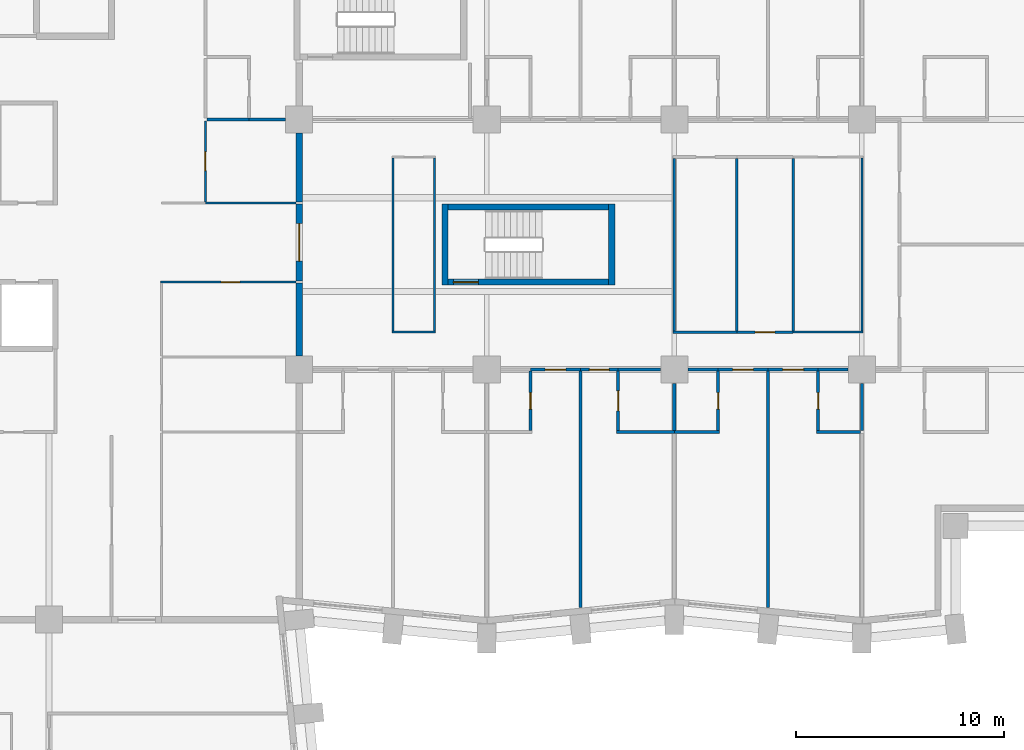
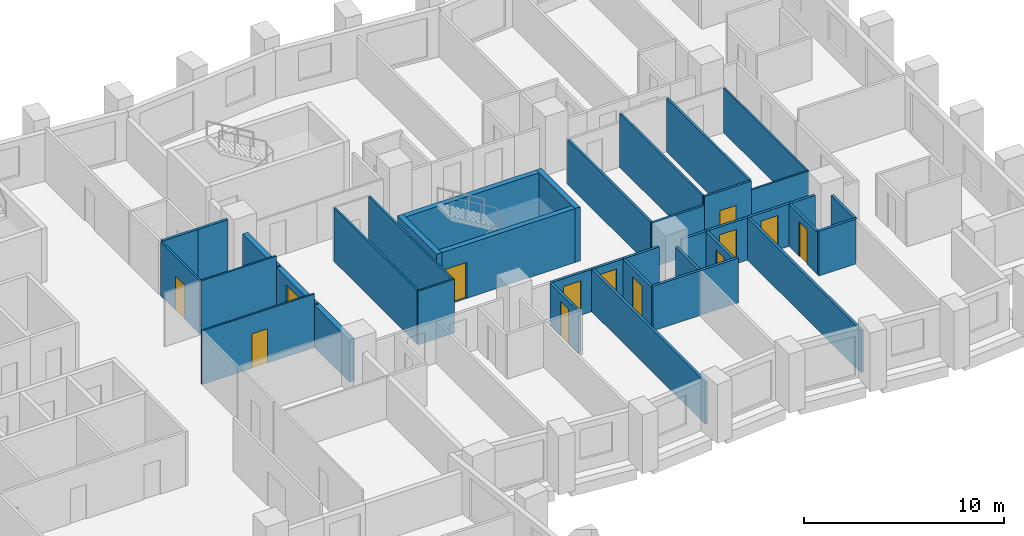
# One storey, part 8 of 13: 40 walls, 13 doors, 13 openings.
"""IFC4 building model written with IfcOpenShell, lengths in metres."""

from ifc_helpers import new_model, si_unit, direction, frame, frame_2d, origin, place, context, subcontext, project, spatial, rectangle, extrude, material, layer, layer_set, type_object, element, fill, save


model = new_model("IFC4")

# Units and contexts
model_context = context("Model", 3, precision=1e-05, world=origin(), true_north=direction((0.0, 1.0)))
body_context = subcontext(model_context, "Body", "Model", "MODEL_VIEW")
ifc_project = project(units=[si_unit("LENGTHUNIT", "METRE"), si_unit("AREAUNIT", "SQUARE_METRE"), si_unit("VOLUMEUNIT", "CUBIC_METRE"), si_unit("PLANEANGLEUNIT", "RADIAN"), si_unit("MASSUNIT", "GRAM", prefix="KILO")], contexts=[model_context])

# Site, building, storey
site_placement = place(None, origin())
site = spatial("IfcSite", under=ifc_project, at=site_placement, CompositionType="ELEMENT")
building_placement = place(site_placement, origin())
building = spatial("IfcBuilding", under=site, at=building_placement, Name="Brondeck Convention Tower", CompositionType="ELEMENT")
storey_placement = place(building_placement, frame((0.0, 0.0, 41.10009765625)))
storey = spatial("IfcBuildingStorey", under=building, at=storey_placement, Name="L07", CompositionType="ELEMENT", Elevation=41.10009765625)

# Wall
ifc_material_1 = material(Name="Concrete compartment wall C30/37", Category="concrete")
ifc_layer_1 = layer(ifc_material_1, 0.300048828125)
ifc_layer_set_1 = layer_set([ifc_layer_1], Name="Compartment wall 300")
wall_type_1 = type_object("IfcWallType", Name="Compartment wall 300", PredefinedType="PARTITIONING", material=ifc_layer_set_1)
wall_1_placement = place(storey_placement, frame((36.0, 43.14990234375, 0.0), z_axis=(0.0, 0.0, 1.0), x_axis=(0.0, -1.0, 0.0)))
element("IfcWall", 1, at=wall_1_placement, inside=storey, type_object=wall_type_1, Name="FLR-L07-W110", PredefinedType="PARTITIONING", context=body_context, shape_type="SweptSolid", body=[
    extrude(rectangle(XDim=3.494873046875, YDim=0.300048828125, at=frame_2d((1.74755859375, 0.0))), origin(), (0.0, 0.0, 1.0), 2.579833984375),
])

# Wall, opening, door
wall_2_placement = place(storey_placement, frame((36.0, 46.949951171875, 0.0), z_axis=(0.0, 0.0, 1.0), x_axis=(0.0, -1.0, 0.0)))
wall_2 = element("IfcWall", 2, at=wall_2_placement, inside=storey, type_object=wall_type_1, Name="FLR-L07-W114", PredefinedType="PARTITIONING", context=body_context, shape_type="SweptSolid", body=[
    extrude(rectangle(XDim=3.699951171875, YDim=0.300048828125, at=frame_2d((1.85009765625, 0.0))), origin(), (0.0, 0.0, 1.0), 2.579833984375),
])
opening_1_placement = place(wall_2_placement, frame((0.949951171875, 0.0, 0.0)))
opening_1 = element("IfcOpeningElement", 3, at=opening_1_placement, cuts=wall_2, Name="Opening H1-054", PredefinedType="OPENING", context=body_context, shape_type="SweptSolid", body=[
    extrude(rectangle(XDim=1.800048828125, YDim=2.10009765625, at=frame_2d((0.89990234375, 1.050048828125))), frame((0.0, 0.159912109375, 0.0), z_axis=(0.0, -1.0, 0.0), x_axis=(1.0, 0.0, 0.0)), (0.0, 0.0, 1.0), 0.320068359375),
])
ifc_material_2 = material(Name="Steel fire door pair", Category="steel")
door_type_1 = type_object("IfcDoorType", Name="Fire door pair 1800", OperationType="DOUBLE_DOOR_SINGLE_SWING", PredefinedType="DOOR", material=ifc_material_2)
door_1_placement = place(opening_1_placement, origin())
door_1 = element("IfcDoor", 4, at=door_1_placement, inside=storey, type_object=door_type_1, Name="Door H1-054", OperationType="DOUBLE_DOOR_SINGLE_SWING", OverallHeight=2.10009765625, OverallWidth=1.800048828125, PredefinedType="DOOR", context=body_context, shape_type="SweptSolid", body=[
    extrude(rectangle(XDim=1.800048828125, YDim=2.10009765625, at=frame_2d((0.89990234375, 1.050048828125))), frame((0.0, 0.02490234375, 0.0), z_axis=(0.0, -1.0, 0.0), x_axis=(1.0, 0.0, 0.0)), (0.0, 0.0, 1.0), 0.050048828125),
])
fill(opening_1, door_1)

# Walls
wall_3_placement = place(storey_placement, frame((36.0, 50.344970703125, 0.0), z_axis=(0.0, 0.0, 1.0), x_axis=(0.0, -1.0, 0.0)))
element("IfcWall", 5, at=wall_3_placement, inside=storey, type_object=wall_type_1, Name="FLR-L07-W126", PredefinedType="PARTITIONING", context=body_context, shape_type="SweptSolid", body=[
    extrude(rectangle(XDim=3.294921875, YDim=0.300048828125, at=frame_2d((1.6474609375, 0.0))), origin(), (0.0, 0.0, 1.0), 2.579833984375),
])
ifc_material_3 = material(Name="Double gypsum board acoustic wall")
ifc_layer_2 = layer(ifc_material_3, 0.14990234375)
ifc_layer_set_2 = layer_set([ifc_layer_2], Name="Guest room party wall 150")
wall_type_2 = type_object("IfcWallType", Name="Guest room party wall 150", PredefinedType="PARTITIONING", material=ifc_layer_set_2)
wall_4_placement = place(storey_placement, frame((51.22509765625, 36.0, 0.0), z_axis=(0.0, 0.0, 1.0), x_axis=(1.0, 0.0, 0.0)))
element("IfcWall", 6, at=wall_4_placement, inside=storey, type_object=wall_type_2, Name="FLR-L07-W069", PredefinedType="PARTITIONING", context=body_context, shape_type="SweptSolid", body=[
    extrude(rectangle(XDim=2.77490234375, YDim=0.14990234375, at=frame_2d((1.387451171875, 0.0))), origin(), (0.0, 0.0, 1.0), 2.72998046875),
])
wall_5_placement = place(storey_placement, frame((54.0, 36.0, 0.0), z_axis=(0.0, 0.0, 1.0), x_axis=(1.0, 0.0, 0.0)))
element("IfcWall", 7, at=wall_5_placement, inside=storey, type_object=wall_type_2, Name="FLR-L07-W070", PredefinedType="PARTITIONING", context=body_context, shape_type="SweptSolid", body=[
    extrude(rectangle(XDim=2.175048828125, YDim=0.14990234375, at=frame_2d((1.08740234375, 0.0))), origin(), (0.0, 0.0, 1.0), 2.72998046875),
])
wall_6_placement = place(storey_placement, frame((60.824951171875, 36.0, 0.0), z_axis=(0.0, 0.0, 1.0), x_axis=(1.0, 0.0, 0.0)))
element("IfcWall", 8, at=wall_6_placement, inside=storey, type_object=wall_type_2, Name="FLR-L07-W071", PredefinedType="PARTITIONING", context=body_context, shape_type="SweptSolid", body=[
    extrude(rectangle(XDim=2.10009765625, YDim=0.14990234375, at=frame_2d((1.050048828125, 0.0))), origin(), (0.0, 0.0, 1.0), 2.72998046875),
])

# Wall, opening, door
wall_7_placement = place(storey_placement, frame((47.10009765625, 36.074951171875, 0.0), z_axis=(0.0, 0.0, 1.0), x_axis=(0.0, 1.0, 0.0)))
wall_7 = element("IfcWall", 9, at=wall_7_placement, inside=storey, type_object=wall_type_2, Name="FLR-L07-W074", PredefinedType="PARTITIONING", context=body_context, shape_type="SweptSolid", body=[
    extrude(rectangle(XDim=2.85009765625, YDim=0.14990234375, at=frame_2d((1.425048828125, 0.0))), origin(), (0.0, 0.0, 1.0), 2.579833984375),
])
opening_2_placement = place(wall_7_placement, frame((1.02490234375, 0.0, 0.0)))
opening_2 = element("IfcOpeningElement", 10, at=opening_2_placement, cuts=wall_7, Name="Opening H1-015", PredefinedType="OPENING", context=body_context, shape_type="SweptSolid", body=[
    extrude(rectangle(XDim=0.800048828125, YDim=2.10009765625, at=frame_2d((0.39990234375, 1.050048828125))), frame((0.0, 0.0849609375, 0.0), z_axis=(0.0, -1.0, 0.0), x_axis=(1.0, 0.0, 0.0)), (0.0, 0.0, 1.0), 0.169921875),
])
ifc_material_4 = material(Name="Solid timber door leaf", Category="wood")
door_type_2 = type_object("IfcDoorType", Name="En-suite door 800", OperationType="NOTDEFINED", PredefinedType="DOOR", material=ifc_material_4)
door_2_placement = place(opening_2_placement, origin())
door_2 = element("IfcDoor", 11, at=door_2_placement, inside=storey, type_object=door_type_2, Name="Door H1-015", OperationType="SINGLE_SWING_LEFT", OverallHeight=2.10009765625, OverallWidth=0.800048828125, PredefinedType="DOOR", context=body_context, shape_type="SweptSolid", body=[
    extrude(rectangle(XDim=0.800048828125, YDim=2.10009765625, at=frame_2d((0.39990234375, 1.050048828125))), frame((0.0, 0.02490234375, 0.0), z_axis=(0.0, -1.0, 0.0), x_axis=(1.0, 0.0, 0.0)), (0.0, 0.0, 1.0), 0.050048828125),
])
fill(opening_2, door_2)

wall_8_placement = place(storey_placement, frame((56.10009765625, 36.074951171875, 0.0), z_axis=(0.0, 0.0, 1.0), x_axis=(0.0, 1.0, 0.0)))
wall_8 = element("IfcWall", 12, at=wall_8_placement, inside=storey, type_object=wall_type_2, Name="FLR-L07-W075", PredefinedType="PARTITIONING", context=body_context, shape_type="SweptSolid", body=[
    extrude(rectangle(XDim=2.85009765625, YDim=0.14990234375, at=frame_2d((1.425048828125, 0.0))), origin(), (0.0, 0.0, 1.0), 2.579833984375),
])
opening_3_placement = place(wall_8_placement, frame((1.02490234375, 0.0, 0.0)))
opening_3 = element("IfcOpeningElement", 13, at=opening_3_placement, cuts=wall_8, Name="Opening H1-019", PredefinedType="OPENING", context=body_context, shape_type="SweptSolid", body=[
    extrude(rectangle(XDim=0.800048828125, YDim=2.10009765625, at=frame_2d((0.39990234375, 1.050048828125))), frame((0.0, 0.0849609375, 0.0), z_axis=(0.0, -1.0, 0.0), x_axis=(1.0, 0.0, 0.0)), (0.0, 0.0, 1.0), 0.169921875),
])
door_3_placement = place(opening_3_placement, origin())
door_3 = element("IfcDoor", 14, at=door_3_placement, inside=storey, type_object=door_type_2, Name="Door H1-019", OperationType="SINGLE_SWING_LEFT", OverallHeight=2.10009765625, OverallWidth=0.800048828125, PredefinedType="DOOR", context=body_context, shape_type="SweptSolid", body=[
    extrude(rectangle(XDim=0.800048828125, YDim=2.10009765625, at=frame_2d((0.39990234375, 1.050048828125))), frame((0.0, 0.02490234375, 0.0), z_axis=(0.0, -1.0, 0.0), x_axis=(1.0, 0.0, 0.0)), (0.0, 0.0, 1.0), 0.050048828125),
])
fill(opening_3, door_3)

# Walls
for number, where, z_axis, x_axis, name in (
    (15, (54.0, 38.344970703125, 0.0), (0.0, 0.0, 1.0), (0.0, -1.0, 0.0), "FLR-L07-W079"),
    (16, (63.0, 38.344970703125, 0.0), (0.0, 0.0, 1.0), (0.0, -1.0, 0.0), "FLR-L07-W080"),
):
    element("IfcWall", number, at=place(storey_placement, frame(where, z_axis=z_axis, x_axis=x_axis)), inside=storey, type_object=wall_type_2, Name=name, PredefinedType="PARTITIONING", context=body_context, shape_type="SweptSolid", body=[
        extrude(rectangle(XDim=2.27001953125, YDim=0.14990234375, at=frame_2d((1.135009765625, 0.0))), origin(), (0.0, 0.0, 1.0), 2.72998046875),
    ])
wall_9_placement = place(storey_placement, frame((49.5, 38.925048828125, 0.0), z_axis=(0.0, 0.0, 1.0), x_axis=(0.0, -1.0, 0.0)))
element("IfcWall", 17, at=wall_9_placement, inside=storey, type_object=wall_type_2, Name="FLR-L07-W083", PredefinedType="PARTITIONING", context=body_context, shape_type="SweptSolid", body=[
    extrude(rectangle(XDim=11.35009765625, YDim=0.14990234375, at=frame_2d((5.675048828125, 0.0))), origin(), (0.0, 0.0, 1.0), 2.579833984375),
])

# Wall, opening, door
wall_10_placement = place(storey_placement, frame((51.300048828125, 38.925048828125, 0.0), z_axis=(0.0, 0.0, 1.0), x_axis=(0.0, -1.0, 0.0)))
wall_10 = element("IfcWall", 18, at=wall_10_placement, inside=storey, type_object=wall_type_2, Name="FLR-L07-W084", PredefinedType="PARTITIONING", context=body_context, shape_type="SweptSolid", body=[
    extrude(rectangle(XDim=2.85009765625, YDim=0.14990234375, at=frame_2d((1.425048828125, 0.0))), origin(), (0.0, 0.0, 1.0), 2.579833984375),
])
opening_4_placement = place(wall_10_placement, frame((0.949951171875, 0.0, 0.0)))
opening_4 = element("IfcOpeningElement", 19, at=opening_4_placement, cuts=wall_10, Name="Opening H1-017", PredefinedType="OPENING", context=body_context, shape_type="SweptSolid", body=[
    extrude(rectangle(XDim=0.949951171875, YDim=2.10009765625, at=frame_2d((0.47509765625, 1.050048828125))), frame((0.0, 0.0849609375, 0.0), z_axis=(0.0, -1.0, 0.0), x_axis=(1.0, 0.0, 0.0)), (0.0, 0.0, 1.0), 0.169921875),
])
door_type_3 = type_object("IfcDoorType", Name="Accessible door 950", OperationType="NOTDEFINED", PredefinedType="DOOR", material=ifc_material_4)
door_4_placement = place(opening_4_placement, origin())
door_4 = element("IfcDoor", 20, at=door_4_placement, inside=storey, type_object=door_type_3, Name="Door H1-017", OperationType="SINGLE_SWING_LEFT", OverallHeight=2.10009765625, OverallWidth=0.949951171875, PredefinedType="DOOR", context=body_context, shape_type="SweptSolid", body=[
    extrude(rectangle(XDim=0.949951171875, YDim=2.10009765625, at=frame_2d((0.47509765625, 1.050048828125))), frame((0.0, 0.02490234375, 0.0), z_axis=(0.0, -1.0, 0.0), x_axis=(1.0, 0.0, 0.0)), (0.0, 0.0, 1.0), 0.050048828125),
])
fill(opening_4, door_4)

# Wall
wall_11_placement = place(storey_placement, frame((58.5, 38.925048828125, 0.0), z_axis=(0.0, 0.0, 1.0), x_axis=(0.0, -1.0, 0.0)))
element("IfcWall", 21, at=wall_11_placement, inside=storey, type_object=wall_type_2, Name="FLR-L07-W085", PredefinedType="PARTITIONING", context=body_context, shape_type="SweptSolid", body=[
    extrude(rectangle(XDim=11.35009765625, YDim=0.14990234375, at=frame_2d((5.675048828125, 0.0))), origin(), (0.0, 0.0, 1.0), 2.579833984375),
])

# Wall, opening, door
wall_12_placement = place(storey_placement, frame((60.89990234375, 38.925048828125, 0.0), z_axis=(0.0, 0.0, 1.0), x_axis=(0.0, -1.0, 0.0)))
wall_12 = element("IfcWall", 22, at=wall_12_placement, inside=storey, type_object=wall_type_2, Name="FLR-L07-W086", PredefinedType="PARTITIONING", context=body_context, shape_type="SweptSolid", body=[
    extrude(rectangle(XDim=2.85009765625, YDim=0.14990234375, at=frame_2d((1.425048828125, 0.0))), origin(), (0.0, 0.0, 1.0), 2.579833984375),
])
opening_5_placement = place(wall_12_placement, frame((1.02490234375, 0.0, 0.0)))
opening_5 = element("IfcOpeningElement", 23, at=opening_5_placement, cuts=wall_12, Name="Opening H1-021", PredefinedType="OPENING", context=body_context, shape_type="SweptSolid", body=[
    extrude(rectangle(XDim=0.800048828125, YDim=2.10009765625, at=frame_2d((0.39990234375, 1.050048828125))), frame((0.0, 0.0849609375, 0.0), z_axis=(0.0, -1.0, 0.0), x_axis=(1.0, 0.0, 0.0)), (0.0, 0.0, 1.0), 0.169921875),
])
door_5_placement = place(opening_5_placement, origin())
door_5 = element("IfcDoor", 24, at=door_5_placement, inside=storey, type_object=door_type_2, Name="Door H1-021", OperationType="SINGLE_SWING_LEFT", OverallHeight=2.10009765625, OverallWidth=0.800048828125, PredefinedType="DOOR", context=body_context, shape_type="SweptSolid", body=[
    extrude(rectangle(XDim=0.800048828125, YDim=2.10009765625, at=frame_2d((0.39990234375, 1.050048828125))), frame((0.0, 0.02490234375, 0.0), z_axis=(0.0, -1.0, 0.0), x_axis=(1.0, 0.0, 0.0)), (0.0, 0.0, 1.0), 0.050048828125),
])
fill(opening_5, door_5)

wall_13_placement = place(storey_placement, frame((49.5, 39.0, 0.0), z_axis=(0.0, 0.0, 1.0), x_axis=(-1.0, 0.0, 0.0)))
wall_13 = element("IfcWall", 25, at=wall_13_placement, inside=storey, type_object=wall_type_2, Name="FLR-L07-W093", PredefinedType="PARTITIONING", context=body_context, shape_type="SweptSolid", body=[
    extrude(rectangle(XDim=2.39990234375, YDim=0.14990234375, at=frame_2d((1.199951171875, 0.0))), origin(), (0.0, 0.0, 1.0), 2.579833984375),
])
opening_6_placement = place(wall_13_placement, frame((0.699951171875, 0.0, 0.0)))
opening_6 = element("IfcOpeningElement", 26, at=opening_6_placement, cuts=wall_13, Name="Opening H1-014", PredefinedType="OPENING", context=body_context, shape_type="SweptSolid", body=[
    extrude(rectangle(XDim=1.0, YDim=2.10009765625, at=frame_2d((0.5, 1.050048828125))), frame((0.0, 0.0849609375, 0.0), z_axis=(0.0, -1.0, 0.0), x_axis=(1.0, 0.0, 0.0)), (0.0, 0.0, 1.0), 0.169921875),
])
ifc_material_5 = material(Name="Solid timber fire door leaf", Category="wood")
door_type_4 = type_object("IfcDoorType", Name="Guest room door 1000", OperationType="NOTDEFINED", PredefinedType="DOOR", material=ifc_material_5)
door_6_placement = place(opening_6_placement, origin())
door_6 = element("IfcDoor", 27, at=door_6_placement, inside=storey, type_object=door_type_4, Name="Door H1-014", OperationType="SINGLE_SWING_LEFT", OverallHeight=2.10009765625, OverallWidth=1.0, PredefinedType="DOOR", context=body_context, shape_type="SweptSolid", body=[
    extrude(rectangle(XDim=1.0, YDim=2.10009765625, at=frame_2d((0.5, 1.050048828125))), frame((0.0, 0.02490234375, 0.0), z_axis=(0.0, -1.0, 0.0), x_axis=(1.0, 0.0, 0.0)), (0.0, 0.0, 1.0), 0.050048828125),
])
fill(opening_6, door_6)

wall_14_placement = place(storey_placement, frame((51.300048828125, 39.0, 0.0), z_axis=(0.0, 0.0, 1.0), x_axis=(-1.0, 0.0, 0.0)))
wall_14 = element("IfcWall", 28, at=wall_14_placement, inside=storey, type_object=wall_type_2, Name="FLR-L07-W094", PredefinedType="PARTITIONING", context=body_context, shape_type="SweptSolid", body=[
    extrude(rectangle(XDim=1.800048828125, YDim=0.14990234375, at=frame_2d((0.89990234375, 0.0))), origin(), (0.0, 0.0, 1.0), 2.579833984375),
])
opening_7_placement = place(wall_14_placement, frame((0.425048828125, 0.0, 0.0)))
opening_7 = element("IfcOpeningElement", 29, at=opening_7_placement, cuts=wall_14, Name="Opening H1-016", PredefinedType="OPENING", context=body_context, shape_type="SweptSolid", body=[
    extrude(rectangle(XDim=0.949951171875, YDim=2.10009765625, at=frame_2d((0.47509765625, 1.050048828125))), frame((0.0, 0.0849609375, 0.0), z_axis=(0.0, -1.0, 0.0), x_axis=(1.0, 0.0, 0.0)), (0.0, 0.0, 1.0), 0.169921875),
])
door_7_placement = place(opening_7_placement, origin())
door_7 = element("IfcDoor", 30, at=door_7_placement, inside=storey, type_object=door_type_3, Name="Door H1-016", OperationType="SINGLE_SWING_LEFT", OverallHeight=2.10009765625, OverallWidth=0.949951171875, PredefinedType="DOOR", context=body_context, shape_type="SweptSolid", body=[
    extrude(rectangle(XDim=0.949951171875, YDim=2.10009765625, at=frame_2d((0.47509765625, 1.050048828125))), frame((0.0, 0.02490234375, 0.0), z_axis=(0.0, -1.0, 0.0), x_axis=(1.0, 0.0, 0.0)), (0.0, 0.0, 1.0), 0.050048828125),
])
fill(opening_7, door_7)

# Walls
wall_15_placement = place(storey_placement, frame((53.344970703125, 39.0, 0.0), z_axis=(0.0, 0.0, 1.0), x_axis=(-1.0, 0.0, 0.0)))
element("IfcWall", 31, at=wall_15_placement, inside=storey, type_object=wall_type_2, Name="FLR-L07-W095", PredefinedType="PARTITIONING", context=body_context, shape_type="SweptSolid", body=[
    extrude(rectangle(XDim=2.044921875, YDim=0.14990234375, at=frame_2d((1.0224609375, 0.0))), origin(), (0.0, 0.0, 1.0), 2.579833984375),
])
wall_16_placement = place(storey_placement, frame((56.10009765625, 39.0, 0.0), z_axis=(0.0, 0.0, 1.0), x_axis=(-1.0, 0.0, 0.0)))
element("IfcWall", 32, at=wall_16_placement, inside=storey, type_object=wall_type_2, Name="FLR-L07-W096", PredefinedType="PARTITIONING", context=body_context, shape_type="SweptSolid", body=[
    extrude(rectangle(XDim=1.445068359375, YDim=0.14990234375, at=frame_2d((0.72265625, 0.0))), origin(), (0.0, 0.0, 1.0), 2.579833984375),
])

# Wall, opening, door
wall_17_placement = place(storey_placement, frame((58.5, 39.0, 0.0), z_axis=(0.0, 0.0, 1.0), x_axis=(-1.0, 0.0, 0.0)))
wall_17 = element("IfcWall", 33, at=wall_17_placement, inside=storey, type_object=wall_type_2, Name="FLR-L07-W097", PredefinedType="PARTITIONING", context=body_context, shape_type="SweptSolid", body=[
    extrude(rectangle(XDim=2.39990234375, YDim=0.14990234375, at=frame_2d((1.199951171875, 0.0))), origin(), (0.0, 0.0, 1.0), 2.579833984375),
])
opening_8_placement = place(wall_17_placement, frame((0.699951171875, 0.0, 0.0)))
opening_8 = element("IfcOpeningElement", 34, at=opening_8_placement, cuts=wall_17, Name="Opening H1-018", PredefinedType="OPENING", context=body_context, shape_type="SweptSolid", body=[
    extrude(rectangle(XDim=1.0, YDim=2.10009765625, at=frame_2d((0.5, 1.050048828125))), frame((0.0, 0.0849609375, 0.0), z_axis=(0.0, -1.0, 0.0), x_axis=(1.0, 0.0, 0.0)), (0.0, 0.0, 1.0), 0.169921875),
])
door_8_placement = place(opening_8_placement, origin())
door_8 = element("IfcDoor", 35, at=door_8_placement, inside=storey, type_object=door_type_4, Name="Door H1-018", OperationType="SINGLE_SWING_LEFT", OverallHeight=2.10009765625, OverallWidth=1.0, PredefinedType="DOOR", context=body_context, shape_type="SweptSolid", body=[
    extrude(rectangle(XDim=1.0, YDim=2.10009765625, at=frame_2d((0.5, 1.050048828125))), frame((0.0, 0.02490234375, 0.0), z_axis=(0.0, -1.0, 0.0), x_axis=(1.0, 0.0, 0.0)), (0.0, 0.0, 1.0), 0.050048828125),
])
fill(opening_8, door_8)

wall_18_placement = place(storey_placement, frame((60.89990234375, 39.0, 0.0), z_axis=(0.0, 0.0, 1.0), x_axis=(-1.0, 0.0, 0.0)))
wall_18 = element("IfcWall", 36, at=wall_18_placement, inside=storey, type_object=wall_type_2, Name="FLR-L07-W098", PredefinedType="PARTITIONING", context=body_context, shape_type="SweptSolid", body=[
    extrude(rectangle(XDim=2.39990234375, YDim=0.14990234375, at=frame_2d((1.199951171875, 0.0))), origin(), (0.0, 0.0, 1.0), 2.579833984375),
])
opening_9_placement = place(wall_18_placement, frame((0.699951171875, 0.0, 0.0)))
opening_9 = element("IfcOpeningElement", 37, at=opening_9_placement, cuts=wall_18, Name="Opening H1-020", PredefinedType="OPENING", context=body_context, shape_type="SweptSolid", body=[
    extrude(rectangle(XDim=1.0, YDim=2.10009765625, at=frame_2d((0.5, 1.050048828125))), frame((0.0, 0.0849609375, 0.0), z_axis=(0.0, -1.0, 0.0), x_axis=(1.0, 0.0, 0.0)), (0.0, 0.0, 1.0), 0.169921875),
])
door_9_placement = place(opening_9_placement, origin())
door_9 = element("IfcDoor", 38, at=door_9_placement, inside=storey, type_object=door_type_4, Name="Door H1-020", OperationType="SINGLE_SWING_LEFT", OverallHeight=2.10009765625, OverallWidth=1.0, PredefinedType="DOOR", context=body_context, shape_type="SweptSolid", body=[
    extrude(rectangle(XDim=1.0, YDim=2.10009765625, at=frame_2d((0.5, 1.050048828125))), frame((0.0, 0.02490234375, 0.0), z_axis=(0.0, -1.0, 0.0), x_axis=(1.0, 0.0, 0.0)), (0.0, 0.0, 1.0), 0.050048828125),
])
fill(opening_9, door_9)

# Walls
wall_19_placement = place(storey_placement, frame((62.344970703125, 39.0, 0.0), z_axis=(0.0, 0.0, 1.0), x_axis=(-1.0, 0.0, 0.0)))
element("IfcWall", 39, at=wall_19_placement, inside=storey, type_object=wall_type_2, Name="FLR-L07-W099", PredefinedType="PARTITIONING", context=body_context, shape_type="SweptSolid", body=[
    extrude(rectangle(XDim=1.445068359375, YDim=0.14990234375, at=frame_2d((0.72265625, 0.0))), origin(), (0.0, 0.0, 1.0), 2.579833984375),
])
wall_20_placement = place(storey_placement, frame((31.574951171875, 51.0, 0.0), z_axis=(0.0, 0.0, 1.0), x_axis=(1.0, 0.0, 0.0)))
element("IfcWall", 40, at=wall_20_placement, inside=storey, type_object=wall_type_2, Name="FLR-L07-W129", PredefinedType="PARTITIONING", context=body_context, shape_type="SweptSolid", body=[
    extrude(rectangle(XDim=2.025146484375, YDim=0.14990234375, at=frame_2d((1.0126953125, 0.0))), origin(), (0.0, 0.0, 1.0), 3.27978515625),
])
wall_21_placement = place(storey_placement, frame((33.60009765625, 51.0, 0.0), z_axis=(0.0, 0.0, 1.0), x_axis=(1.0, 0.0, 0.0)))
element("IfcWall", 41, at=wall_21_placement, inside=storey, type_object=wall_type_2, Name="FLR-L07-W130", PredefinedType="PARTITIONING", context=body_context, shape_type="SweptSolid", body=[
    extrude(rectangle(XDim=1.744873046875, YDim=0.14990234375, at=frame_2d((0.87255859375, 0.0))), origin(), (0.0, 0.0, 1.0), 3.27978515625),
])
ifc_material_6 = material(Name="Gypsum board shaft wall on steel studs", Category="steel")
ifc_layer_3 = layer(ifc_material_6, 0.125)
ifc_layer_set_3 = layer_set([ifc_layer_3], Name="Riser wall 125")
wall_type_3 = type_object("IfcWallType", Name="Riser wall 125", PredefinedType="PARTITIONING", material=ifc_layer_set_3)
wall_22_placement = place(storey_placement, frame((53.9375, 40.800048828125, 0.0), z_axis=(0.0, 0.0, 1.0), x_axis=(1.0, 0.0, 0.0)))
element("IfcWall", 42, at=wall_22_placement, inside=storey, type_object=wall_type_3, Name="FLR-L07-W105", PredefinedType="PARTITIONING", context=body_context, shape_type="SweptSolid", body=[
    extrude(rectangle(XDim=3.0625, YDim=0.125, at=frame_2d((1.53125, 0.0))), origin(), (0.0, 0.0, 1.0), 2.72998046875),
])

# Wall, opening, door
wall_23_placement = place(storey_placement, frame((57.0, 40.800048828125, 0.0), z_axis=(0.0, 0.0, 1.0), x_axis=(1.0, 0.0, 0.0)))
wall_23 = element("IfcWall", 43, at=wall_23_placement, inside=storey, type_object=wall_type_3, Name="FLR-L07-W106", PredefinedType="PARTITIONING", context=body_context, shape_type="SweptSolid", body=[
    extrude(rectangle(XDim=2.699951171875, YDim=0.125, at=frame_2d((1.35009765625, 0.0))), origin(), (0.0, 0.0, 1.0), 3.27978515625),
])
opening_10_placement = place(wall_23_placement, frame((0.875, 0.0, 0.0)))
opening_10 = element("IfcOpeningElement", 44, at=opening_10_placement, cuts=wall_23, Name="Opening H1-024", PredefinedType="OPENING", context=body_context, shape_type="SweptSolid", body=[
    extrude(rectangle(XDim=0.949951171875, YDim=2.10009765625, at=frame_2d((0.47509765625, 1.050048828125))), frame((0.0, 0.072509765625, 0.0), z_axis=(0.0, -1.0, 0.0), x_axis=(1.0, 0.0, 0.0)), (0.0, 0.0, 1.0), 0.14501953125),
])
door_10_placement = place(opening_10_placement, origin())
door_10 = element("IfcDoor", 45, at=door_10_placement, inside=storey, type_object=door_type_3, Name="Door H1-024", OperationType="SINGLE_SWING_LEFT", OverallHeight=2.10009765625, OverallWidth=0.949951171875, PredefinedType="DOOR", context=body_context, shape_type="SweptSolid", body=[
    extrude(rectangle(XDim=0.949951171875, YDim=2.10009765625, at=frame_2d((0.47509765625, 1.050048828125))), frame((0.0, 0.02490234375, 0.0), z_axis=(0.0, -1.0, 0.0), x_axis=(1.0, 0.0, 0.0)), (0.0, 0.0, 1.0), 0.050048828125),
])
fill(opening_10, door_10)

# Walls
wall_24_placement = place(storey_placement, frame((54.0, 49.137451171875, 0.0), z_axis=(0.0, 0.0, 1.0), x_axis=(0.0, -1.0, 0.0)))
element("IfcWall", 46, at=wall_24_placement, inside=storey, type_object=wall_type_3, Name="FLR-L07-W117", PredefinedType="PARTITIONING", context=body_context, shape_type="SweptSolid", body=[
    extrude(rectangle(XDim=8.27490234375, YDim=0.125, at=frame_2d((4.137451171875, 0.0))), origin(), (0.0, 0.0, 1.0), 2.72998046875),
])
for number, where, z_axis, x_axis, name in (
    (47, (57.0, 49.137451171875, 0.0), (0.0, 0.0, 1.0), (0.0, -1.0, 0.0), "FLR-L07-W118"),
    (48, (59.699951171875, 49.137451171875, 0.0), (0.0, 0.0, 1.0), (0.0, -1.0, 0.0), "FLR-L07-W119"),
):
    element("IfcWall", number, at=place(storey_placement, frame(where, z_axis=z_axis, x_axis=x_axis)), inside=storey, type_object=wall_type_3, Name=name, PredefinedType="PARTITIONING", context=body_context, shape_type="SweptSolid", body=[
        extrude(rectangle(XDim=8.27490234375, YDim=0.125, at=frame_2d((4.137451171875, 0.0))), origin(), (0.0, 0.0, 1.0), 3.27978515625),
    ])
ifc_material_7 = material(Name="Gypsum board partition on steel studs", Category="steel")
ifc_layer_4 = layer(ifc_material_7, 0.10009765625)
ifc_layer_set_4 = layer_set([ifc_layer_4], Name="Room partition 100")
wall_type_4 = type_object("IfcWallType", Name="Room partition 100", PredefinedType="PARTITIONING", material=ifc_layer_set_4)
wall_25_placement = place(storey_placement, frame((40.449951171875, 40.800048828125, 0.0), z_axis=(0.0, 0.0, 1.0), x_axis=(1.0, 0.0, 0.0)))
element("IfcWall", 49, at=wall_25_placement, inside=storey, type_object=wall_type_4, Name="FLR-L07-W104", PredefinedType="PARTITIONING", context=body_context, shape_type="SweptSolid", body=[
    extrude(rectangle(XDim=2.10009765625, YDim=0.10009765625, at=frame_2d((1.050048828125, 0.0))), origin(), (0.0, 0.0, 1.0), 3.27978515625),
])
wall_26_placement = place(storey_placement, frame((59.699951171875, 40.800048828125, 0.0), z_axis=(0.0, 0.0, 1.0), x_axis=(1.0, 0.0, 0.0)))
element("IfcWall", 50, at=wall_26_placement, inside=storey, type_object=wall_type_4, Name="FLR-L07-W107", PredefinedType="PARTITIONING", context=body_context, shape_type="SweptSolid", body=[
    extrude(rectangle(XDim=3.35009765625, YDim=0.10009765625, at=frame_2d((1.675048828125, 0.0))), origin(), (0.0, 0.0, 1.0), 2.72998046875),
])
wall_27_placement = place(storey_placement, frame((63.0, 40.85009765625, 0.0), z_axis=(0.0, 0.0, 1.0), x_axis=(0.0, 1.0, 0.0)))
element("IfcWall", 51, at=wall_27_placement, inside=storey, type_object=wall_type_4, Name="FLR-L07-W108", PredefinedType="PARTITIONING", context=body_context, shape_type="SweptSolid", body=[
    extrude(rectangle(XDim=8.2998046875, YDim=0.10009765625, at=frame_2d((4.14990234375, 0.0))), origin(), (0.0, 0.0, 1.0), 2.72998046875),
])

# Wall, opening, door
wall_28_placement = place(storey_placement, frame((35.85009765625, 43.199951171875, 0.0), z_axis=(0.0, 0.0, 1.0), x_axis=(-1.0, 0.0, 0.0)))
wall_28 = element("IfcWall", 52, at=wall_28_placement, inside=storey, type_object=wall_type_4, Name="FLR-L07-W111", PredefinedType="PARTITIONING", context=body_context, shape_type="SweptSolid", body=[
    extrude(rectangle(XDim=6.5, YDim=0.10009765625, at=frame_2d((3.25, 0.0))), origin(), (0.0, 0.0, 1.0), 3.27978515625),
])
opening_11_placement = place(wall_28_placement, frame((2.699951171875, 0.0, 0.0)))
opening_11 = element("IfcOpeningElement", 53, at=opening_11_placement, cuts=wall_28, Name="Opening H1-049", PredefinedType="OPENING", context=body_context, shape_type="SweptSolid", body=[
    extrude(rectangle(XDim=0.89990234375, YDim=2.10009765625, at=frame_2d((0.449951171875, 1.050048828125))), frame((0.0, 0.06005859375, 0.0), z_axis=(0.0, -1.0, 0.0), x_axis=(1.0, 0.0, 0.0)), (0.0, 0.0, 1.0), 0.1201171875),
])
door_type_5 = type_object("IfcDoorType", Name="Single door 900", OperationType="NOTDEFINED", PredefinedType="DOOR", material=ifc_material_4)
door_11_placement = place(opening_11_placement, origin())
door_11 = element("IfcDoor", 54, at=door_11_placement, inside=storey, type_object=door_type_5, Name="Door H1-049", OperationType="SINGLE_SWING_LEFT", OverallHeight=2.10009765625, OverallWidth=0.89990234375, PredefinedType="DOOR", context=body_context, shape_type="SweptSolid", body=[
    extrude(rectangle(XDim=0.89990234375, YDim=2.10009765625, at=frame_2d((0.449951171875, 1.050048828125))), frame((0.0, 0.02490234375, 0.0), z_axis=(0.0, -1.0, 0.0), x_axis=(1.0, 0.0, 0.0)), (0.0, 0.0, 1.0), 0.050048828125),
])
fill(opening_11, door_11)

# Walls
wall_29_placement = place(storey_placement, frame((31.5, 47.0, 0.0), z_axis=(0.0, 0.0, 1.0), x_axis=(1.0, 0.0, 0.0)))
element("IfcWall", 55, at=wall_29_placement, inside=storey, type_object=wall_type_4, Name="FLR-L07-W116", PredefinedType="PARTITIONING", context=body_context, shape_type="SweptSolid", body=[
    extrude(rectangle(XDim=4.35009765625, YDim=0.10009765625, at=frame_2d((2.175048828125, 0.0))), origin(), (0.0, 0.0, 1.0), 3.27978515625),
])
for number, where, z_axis, x_axis, name in (
    (56, (40.5, 49.14990234375, 0.0), (0.0, 0.0, 1.0), (0.0, -1.0, 0.0), "FLR-L07-W120"),
    (57, (42.5, 49.14990234375, 0.0), (0.0, 0.0, 1.0), (0.0, -1.0, 0.0), "FLR-L07-W121"),
):
    element("IfcWall", number, at=place(storey_placement, frame(where, z_axis=z_axis, x_axis=x_axis)), inside=storey, type_object=wall_type_4, Name=name, PredefinedType="PARTITIONING", context=body_context, shape_type="SweptSolid", body=[
        extrude(rectangle(XDim=8.2998046875, YDim=0.10009765625, at=frame_2d((4.14990234375, 0.0))), origin(), (0.0, 0.0, 1.0), 3.27978515625),
    ])

# Wall, opening, door
wall_30_placement = place(storey_placement, frame((31.5, 50.925048828125, 0.0), z_axis=(0.0, 0.0, 1.0), x_axis=(0.0, -1.0, 0.0)))
wall_30 = element("IfcWall", 58, at=wall_30_placement, inside=storey, type_object=wall_type_4, Name="FLR-L07-W127", PredefinedType="PARTITIONING", context=body_context, shape_type="SweptSolid", body=[
    extrude(rectangle(XDim=3.875, YDim=0.10009765625, at=frame_2d((1.9375, 0.0))), origin(), (0.0, 0.0, 1.0), 3.27978515625),
])
opening_12_placement = place(wall_30_placement, frame((1.47509765625, 0.0, 0.0)))
opening_12 = element("IfcOpeningElement", 59, at=opening_12_placement, cuts=wall_30, Name="Opening H1-048", PredefinedType="OPENING", context=body_context, shape_type="SweptSolid", body=[
    extrude(rectangle(XDim=0.89990234375, YDim=2.10009765625, at=frame_2d((0.449951171875, 1.050048828125))), frame((0.0, 0.06005859375, 0.0), z_axis=(0.0, -1.0, 0.0), x_axis=(1.0, 0.0, 0.0)), (0.0, 0.0, 1.0), 0.1201171875),
])
door_12_placement = place(opening_12_placement, origin())
door_12 = element("IfcDoor", 60, at=door_12_placement, inside=storey, type_object=door_type_5, Name="Door H1-048", OperationType="SINGLE_SWING_LEFT", OverallHeight=2.10009765625, OverallWidth=0.89990234375, PredefinedType="DOOR", context=body_context, shape_type="SweptSolid", body=[
    extrude(rectangle(XDim=0.89990234375, YDim=2.10009765625, at=frame_2d((0.449951171875, 1.050048828125))), frame((0.0, 0.02490234375, 0.0), z_axis=(0.0, -1.0, 0.0), x_axis=(1.0, 0.0, 0.0)), (0.0, 0.0, 1.0), 0.050048828125),
])
fill(opening_12, door_12)

ifc_material_8 = material(Name="Concrete C80/95", Category="concrete")
ifc_layer_5 = layer(ifc_material_8, 0.300048828125)
ifc_layer_set_5 = layer_set([ifc_layer_5], Name="Stair enclosure wall 300 Concrete C80/95")
wall_type_5 = type_object("IfcWallType", Name="Stair enclosure wall 300 Concrete C80/95", PredefinedType="SHEAR", material=ifc_layer_set_5)
wall_31_placement = place(storey_placement, frame((43.14990234375, 43.199951171875, 0.0), z_axis=(0.0, 0.0, 1.0), x_axis=(1.0, 0.0, 0.0)))
wall_31 = element("IfcWall", 61, at=wall_31_placement, inside=storey, type_object=wall_type_5, Name="L07 core wall", PredefinedType="SHEAR", context=body_context, shape_type="SweptSolid", body=[
    extrude(rectangle(XDim=7.7001953125, YDim=0.300048828125, at=frame_2d((3.85009765625, 0.0))), origin(), (0.0, 0.0, 1.0), 3.2998046875),
])
opening_13_placement = place(wall_31_placement, frame((0.25, 0.0, 0.0)))
opening_13 = element("IfcOpeningElement", 62, at=opening_13_placement, cuts=wall_31, Name="Opening C08-18", PredefinedType="OPENING", context=body_context, shape_type="SweptSolid", body=[
    extrude(rectangle(XDim=1.199951171875, YDim=2.199951171875, at=frame_2d((0.60009765625, 1.10009765625))), frame((0.0, 0.159912109375, 0.0), z_axis=(0.0, -1.0, 0.0), x_axis=(1.0, 0.0, 0.0)), (0.0, 0.0, 1.0), 0.320068359375),
])
ifc_material_9 = material(Name="Steel fire door", Category="steel")
door_type_6 = type_object("IfcDoorType", Name="Stair door 1200x2200 EI 90", OperationType="NOTDEFINED", PredefinedType="DOOR", material=ifc_material_9)
door_13_placement = place(opening_13_placement, origin())
door_13 = element("IfcDoor", 63, at=door_13_placement, inside=storey, type_object=door_type_6, Name="L07 Stair door ST-AF", OperationType="SINGLE_SWING_RIGHT", OverallHeight=2.199951171875, OverallWidth=1.199951171875, PredefinedType="DOOR", context=body_context, shape_type="SweptSolid", body=[
    extrude(rectangle(XDim=1.199951171875, YDim=2.199951171875, at=frame_2d((0.60009765625, 1.10009765625))), frame((0.0, 0.02490234375, 0.0), z_axis=(0.0, -1.0, 0.0), x_axis=(1.0, 0.0, 0.0)), (0.0, 0.0, 1.0), 0.050048828125),
])
fill(opening_13, door_13)

# Walls
wall_32_placement = place(storey_placement, frame((43.14990234375, 46.800048828125, 0.0), z_axis=(0.0, 0.0, 1.0), x_axis=(1.0, 0.0, 0.0)))
element("IfcWall", 64, at=wall_32_placement, inside=storey, type_object=wall_type_5, Name="L07 core wall", PredefinedType="SHEAR", context=body_context, shape_type="SweptSolid", body=[
    extrude(rectangle(XDim=7.7001953125, YDim=0.300048828125, at=frame_2d((3.85009765625, 0.0))), origin(), (0.0, 0.0, 1.0), 3.2998046875),
])
for number, where, z_axis, x_axis, name in (
    (65, (43.0, 43.050048828125, 0.0), (0.0, 0.0, 1.0), (0.0, 1.0, 0.0), "L07 core wall"),
    (66, (51.0, 43.050048828125, 0.0), (0.0, 0.0, 1.0), (0.0, 1.0, 0.0), "L07 core wall"),
):
    element("IfcWall", number, at=place(storey_placement, frame(where, z_axis=z_axis, x_axis=x_axis)), inside=storey, type_object=wall_type_5, Name=name, PredefinedType="SHEAR", context=body_context, shape_type="SweptSolid", body=[
        extrude(rectangle(XDim=3.89990234375, YDim=0.300048828125, at=frame_2d((1.949951171875, 0.0))), origin(), (0.0, 0.0, 1.0), 3.2998046875),
    ])

save(model, "model.ifc")
